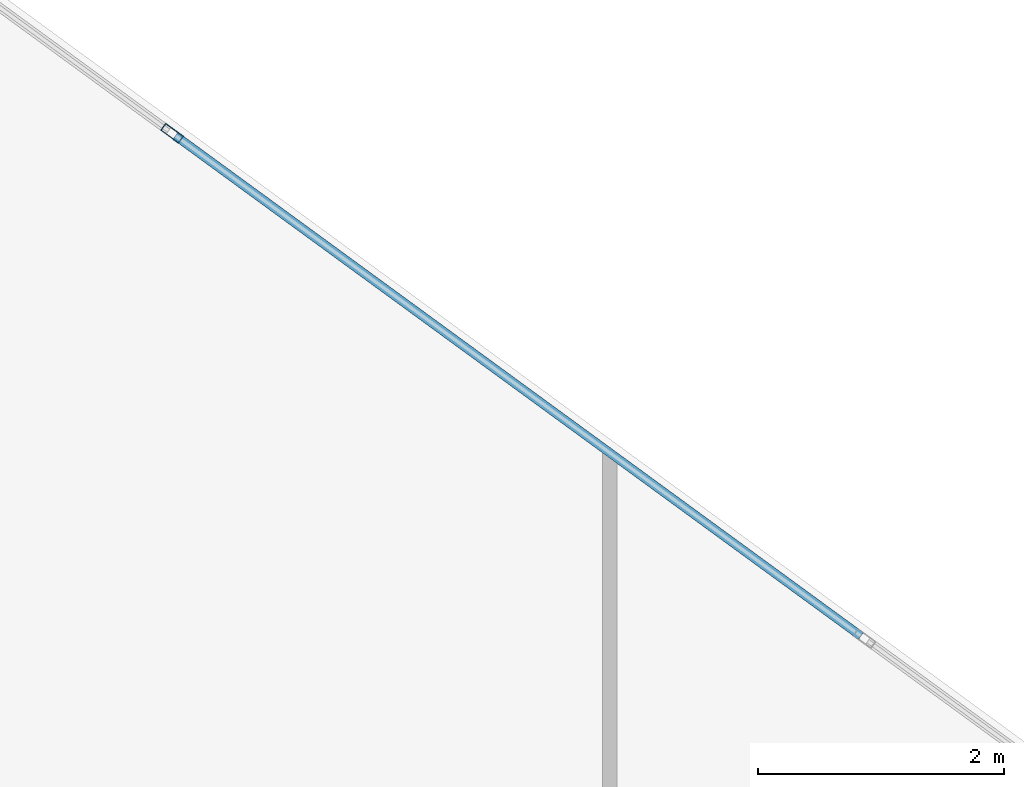
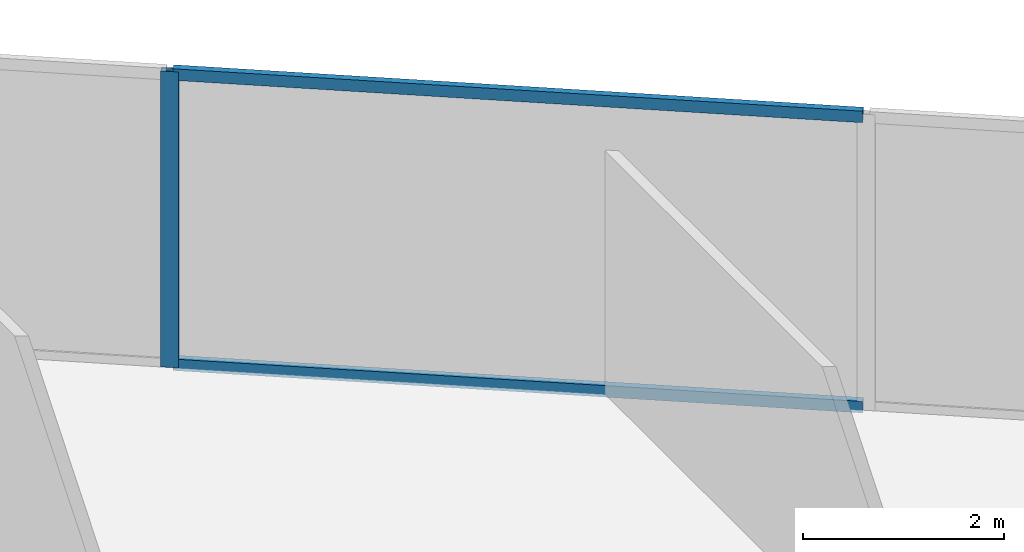
# One storey, part 19 of 25: 3 members, 1 element without a shape of its own.
"""IFC4 building model written with IfcOpenShell, lengths in metres."""

from ifc_helpers import new_model, si_unit, direction, frame, origin, origin_2d, place, context, subcontext, project, spatial, hollow_rectangle, extrude, source, transform, mapped, material, material_profile, profile_set, type_object, type_shapes, element, aggregate, save


model = new_model("IFC4")

# Units and contexts
model_context = context("Model", 3, precision=1e-05, world=origin(), true_north=direction((0.0, 1.0)))
body_context = subcontext(model_context, "Body", "Model", "MODEL_VIEW")
ifc_project = project(units=[si_unit("LENGTHUNIT", "METRE"), si_unit("AREAUNIT", "SQUARE_METRE"), si_unit("VOLUMEUNIT", "CUBIC_METRE"), si_unit("PLANEANGLEUNIT", "RADIAN"), si_unit("MASSUNIT", "GRAM", prefix="KILO")], contexts=[model_context])

# Site, building, storey
site_placement = place(None, origin())
site = spatial("IfcSite", under=ifc_project, at=site_placement, CompositionType="ELEMENT")
building_placement = place(site_placement, origin())
building = spatial("IfcBuilding", under=site, at=building_placement, Name="Krantzveldt Concourse Tower", CompositionType="ELEMENT")
storey_placement = place(building_placement, frame((0.0, 0.0, 197.550048828125)))
storey = spatial("IfcBuildingStorey", under=building, at=storey_placement, Name="L48", CompositionType="ELEMENT", Elevation=197.550048828125)

# Curtain wall, members
ifc_material = material(Name="Anodised aluminium 6063-T6", Category="aluminium")
curtain_wall_type = type_object("IfcCurtainWallType", Name="CW3", PredefinedType="USERDEFINED", material=ifc_material)
curtain_wall_placement = place(storey_placement, origin())
curtain_wall = element("IfcCurtainWall", 1, at=curtain_wall_placement, inside=storey, type_object=curtain_wall_type, Name="CW-L48-F10", ObjectType="UNITISED CURTAIN WALL", PredefinedType="USERDEFINED")
ifc_material_profile_1 = material_profile(ifc_material, hollow_rectangle(XDim=0.070068359375, YDim=0.179931640625, WallThickness=0.0048828125, at=origin_2d()), Name="Anodised aluminium 6063-T6", Category="aluminium")
ifc_profile_set_1 = profile_set([ifc_material_profile_1], Name="Anodised aluminium 6063-T6 - ALU-MULL 180x70x5")
member_type_1 = type_object("IfcMemberType", Name="CW-MUL-180", PredefinedType="MULLION", material=ifc_profile_set_1)
shared_shape_1 = source(origin(), body_context, "Body", "SweptSolid", [
    extrude(hollow_rectangle(XDim=0.070068359375, YDim=0.179931640625, WallThickness=0.0048828125, at=origin_2d()), origin(), (0.0, 0.0, 1.0), 3.58984375),
])
type_shapes(member_type_1, [shared_shape_1])
member_1_placement = place(storey_placement, frame((40.42529296875, 50.471435546875, 0.0), z_axis=(0.0, 0.0, 1.0), x_axis=(-0.589548833895, -0.807732735781, 0.0)))
member_1 = element("IfcMember", 2, at=member_1_placement, type_object=member_type_1, Name="CW-Z34 mullion 5", PredefinedType="MULLION", context=body_context, shape_type="MappedRepresentation", body=[
    mapped(shared_shape_1, transform((0.0, 0.0, 0.0), x_axis=(1.0, 0.0, 0.0), y_axis=(0.0, 1.0, 0.0), z_axis=(0.0, 0.0, 1.0), scale=1.0)),
])
ifc_material_profile_2 = material_profile(ifc_material, hollow_rectangle(XDim=0.070068359375, YDim=0.139892578125, WallThickness=0.0048828125, at=origin_2d()), Name="Anodised aluminium 6063-T6", Category="aluminium")
ifc_profile_set_2 = profile_set([ifc_material_profile_2], Name="Anodised aluminium 6063-T6 - ALU-TRAN 140x70x5")
member_type_2 = type_object("IfcMemberType", Name="CW-TRN-150", PredefinedType="USERDEFINED", material=ifc_profile_set_2)
shared_shape_2 = source(origin(), body_context, "Body", "SweptSolid", [
    extrude(hollow_rectangle(XDim=0.070068359375, YDim=0.139892578125, WallThickness=0.0048828125, at=origin_2d()), origin(), (0.0, 0.0, 1.0), 6.889892578125),
])
type_shapes(member_type_2, [shared_shape_2])
member_2_placement = place(storey_placement, frame((46.018798828125, 46.388916015625, 0.034912109375), z_axis=(-0.807726644352, 0.589557179589, 0.0), x_axis=(-0.589557179589, -0.807726644352, 0.0)))
member_2 = element("IfcMember", 3, at=member_2_placement, type_object=member_type_2, Name="CW-Z34 transom 4.1", ObjectType="TRANSOM", PredefinedType="USERDEFINED", context=body_context, shape_type="MappedRepresentation", body=[
    mapped(shared_shape_2, transform((0.0, 0.0, 0.0), x_axis=(1.0, 0.0, 0.0), y_axis=(0.0, 1.0, 0.0), z_axis=(0.0, 0.0, 1.0), scale=1.0)),
])
member_3_placement = place(storey_placement, frame((46.018798828125, 46.388916015625, 3.554931640625), z_axis=(-0.807726644352, 0.589557179589, 0.0), x_axis=(-0.589557179589, -0.807726644352, 0.0)))
member_3 = element("IfcMember", 4, at=member_3_placement, type_object=member_type_2, Name="CW-Z34 transom 4.2", ObjectType="TRANSOM", PredefinedType="USERDEFINED", context=body_context, shape_type="MappedRepresentation", body=[
    mapped(shared_shape_2, transform((0.0, 0.0, 0.0), x_axis=(1.0, 0.0, 0.0), y_axis=(0.0, 1.0, 0.0), z_axis=(0.0, 0.0, 1.0), scale=1.0)),
])
aggregate(curtain_wall, [member_1, member_2, member_3])

save(model, "model.ifc")
